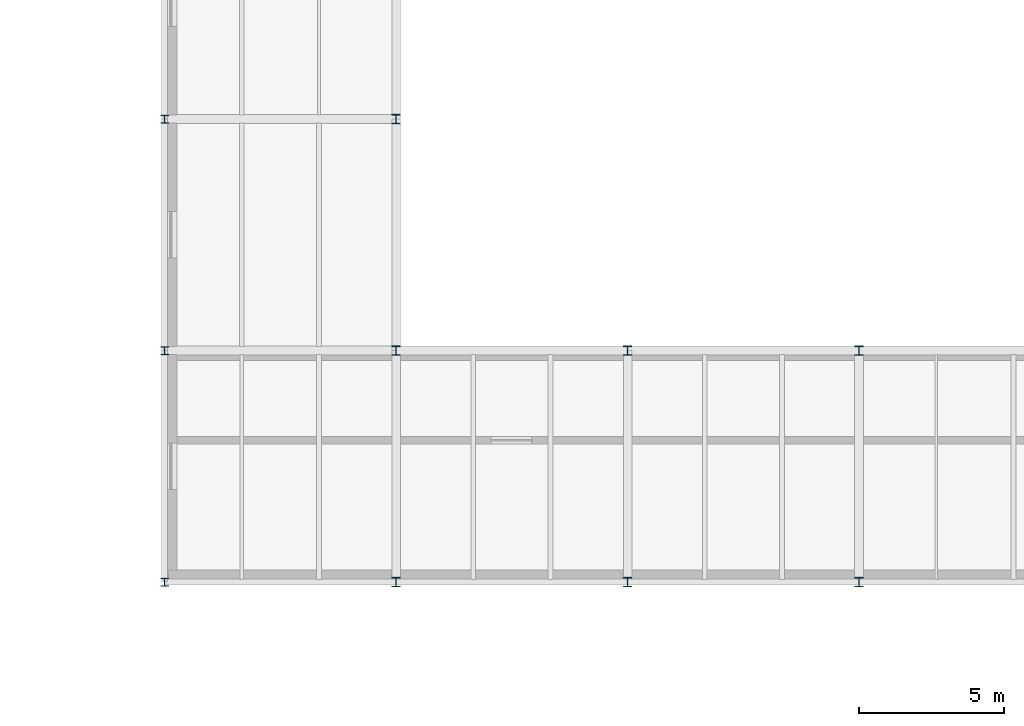
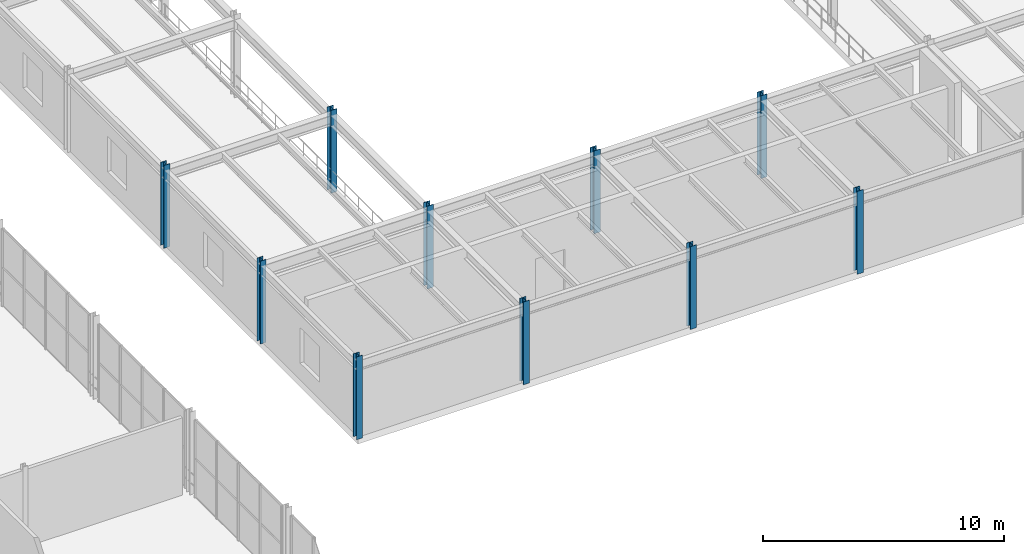
# One storey, part 12 of 122: 10 columns.
"""IFC4 building model written with IfcOpenShell, lengths in metres."""

from ifc_helpers import new_model, si_unit, direction, frame, origin, origin_2d, place, context, subcontext, project, spatial, i_section, extrude, material, material_profile, profile_set, type_object, element, save


model = new_model("IFC4")

# Units and contexts
model_context = context("Model", 3, precision=1e-05, world=origin(), true_north=direction((0.0, 1.0)))
body_context = subcontext(model_context, "Body", "Model", "MODEL_VIEW")
ifc_project = project(units=[si_unit("LENGTHUNIT", "METRE"), si_unit("AREAUNIT", "SQUARE_METRE"), si_unit("VOLUMEUNIT", "CUBIC_METRE"), si_unit("PLANEANGLEUNIT", "RADIAN"), si_unit("MASSUNIT", "GRAM", prefix="KILO")], contexts=[model_context])

# Site, building, storey
site_placement = place(None, origin())
site = spatial("IfcSite", under=ifc_project, at=site_placement, CompositionType="ELEMENT")
building_placement = place(site_placement, origin())
building = spatial("IfcBuilding", under=site, at=building_placement, Name="Sundkrona Museum", CompositionType="ELEMENT")
storey_placement = place(building_placement, frame((0.0, 0.0, 5.39990234375)))
storey = spatial("IfcBuildingStorey", under=building, at=storey_placement, Name="L01", CompositionType="ELEMENT", Elevation=5.39990234375)

# Columns
ifc_material = material(Name="Steel S355J2", Category="steel")
ifc_material_profile_1 = material_profile(ifc_material, i_section(OverallWidth=0.280029296875, OverallDepth=0.280029296875, WebThickness=0.010498046875, FlangeThickness=0.01806640625, FilletRadius=0.02392578125, at=origin_2d()), Name="HEB 280")
ifc_profile_set_1 = profile_set([ifc_material_profile_1], Name="Steel S355J2")
column_type_1 = type_object("IfcColumnType", Name="C-HEB280", PredefinedType="COLUMN", material=ifc_profile_set_1)
for number, where, z_axis, x_axis, name in (
    (1, (104.0, 78.0, 0.0), (0.0, 0.0, 1.0), (1.0, 0.0, 0.0), "L01 Column L/14"),
    (2, (104.0, 86.0, 0.0), (0.0, 0.0, 1.0), (1.0, 0.0, 0.0), "L01 Column M/14"),
    (3, (104.0, 94.0, 0.0), (0.0, 0.0, 1.0), (1.0, 0.0, 0.0), "L01 Column N/14"),
):
    element("IfcColumn", number, at=place(storey_placement, frame(where, z_axis=z_axis, x_axis=x_axis)), inside=storey, type_object=column_type_1, Name=name, PredefinedType="COLUMN", context=body_context, shape_type="SweptSolid", body=[
        extrude(i_section(OverallWidth=0.280029296875, OverallDepth=0.280029296875, WebThickness=0.010498046875, FlangeThickness=0.01806640625, FilletRadius=0.02392578125, at=origin_2d()), origin(), (0.0, 0.0, 1.0), 4.2001953125),
    ])
ifc_material_profile_2 = material_profile(ifc_material, i_section(OverallWidth=0.300048828125, OverallDepth=0.320068359375, WebThickness=0.011474609375, FlangeThickness=0.0205078125, FilletRadius=0.027099609375, at=origin_2d()), Name="HEB 320")
ifc_profile_set_2 = profile_set([ifc_material_profile_2], Name="Steel S355J2")
column_type_2 = type_object("IfcColumnType", Name="C-HEB320", PredefinedType="COLUMN", material=ifc_profile_set_2)
for number, where, z_axis, x_axis, name in (
    (4, (112.0, 78.0, 0.0), (0.0, 0.0, 1.0), (1.0, 0.0, 0.0), "L01 Column L/15"),
    (5, (112.0, 86.0, 0.0), (0.0, 0.0, 1.0), (1.0, 0.0, 0.0), "L01 Column M/15"),
    (6, (112.0, 94.0, 0.0), (0.0, 0.0, 1.0), (1.0, 0.0, 0.0), "L01 Column N/15"),
    (7, (120.0, 78.0, 0.0), (0.0, 0.0, 1.0), (1.0, 0.0, 0.0), "L01 Column L/16"),
    (8, (120.0, 86.0, 0.0), (0.0, 0.0, 1.0), (1.0, 0.0, 0.0), "L01 Column M/16"),
    (9, (128.0, 78.0, 0.0), (0.0, 0.0, 1.0), (1.0, 0.0, 0.0), "L01 Column L/17"),
    (10, (128.0, 86.0, 0.0), (0.0, 0.0, 1.0), (1.0, 0.0, 0.0), "L01 Column M/17"),
):
    element("IfcColumn", number, at=place(storey_placement, frame(where, z_axis=z_axis, x_axis=x_axis)), inside=storey, type_object=column_type_2, Name=name, PredefinedType="COLUMN", context=body_context, shape_type="SweptSolid", body=[
        extrude(i_section(OverallWidth=0.300048828125, OverallDepth=0.320068359375, WebThickness=0.011474609375, FlangeThickness=0.0205078125, FilletRadius=0.027099609375, at=origin_2d()), origin(), (0.0, 0.0, 1.0), 4.2001953125),
    ])

save(model, "model.ifc")
